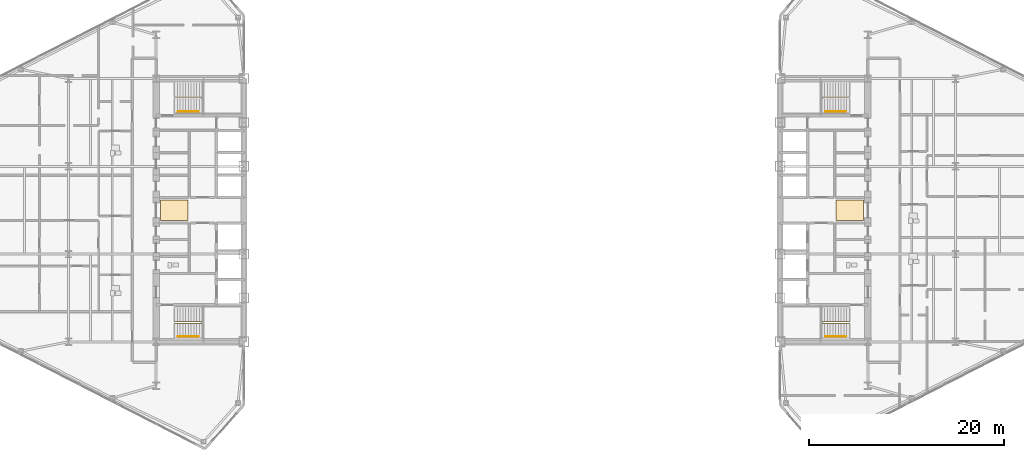
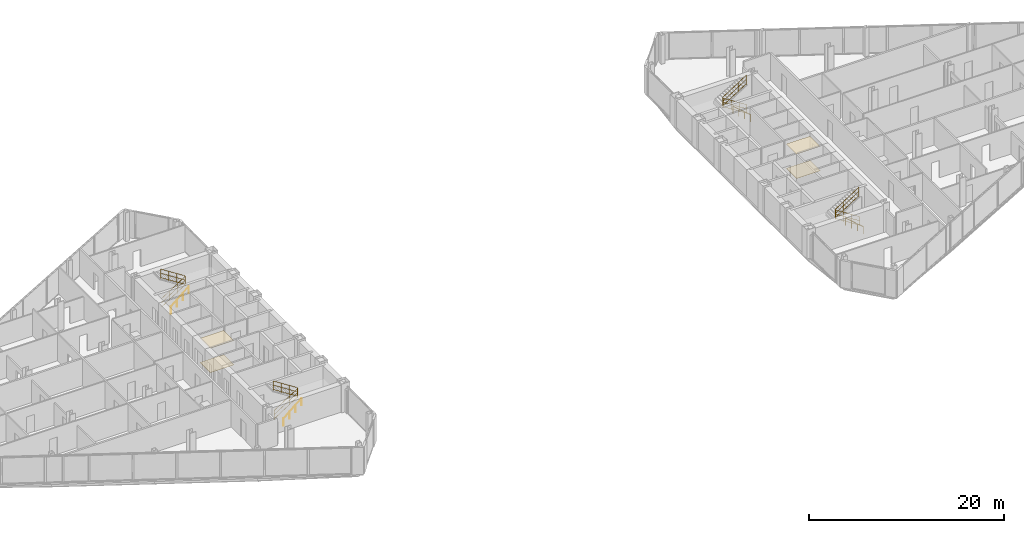
# One storey, part 23 of 24: 8 railings, 4 coverings.
"""IFC4 building model written with IfcOpenShell, lengths in metres."""

from ifc_helpers import new_model, si_unit, direction, frame, origin, origin_2d, place, context, subcontext, project, spatial, polyline, circle, outline, extrude, material, layer, layer_set, type_object, element, save


model = new_model("IFC4")

# Units and contexts
model_context = context("Model", 3, precision=1e-05, world=origin(), true_north=direction((0.0, 1.0)))
body_context = subcontext(model_context, "Body", "Model", "MODEL_VIEW")
ifc_project = project(units=[si_unit("LENGTHUNIT", "METRE"), si_unit("AREAUNIT", "SQUARE_METRE"), si_unit("VOLUMEUNIT", "CUBIC_METRE"), si_unit("PLANEANGLEUNIT", "RADIAN"), si_unit("MASSUNIT", "GRAM", prefix="KILO")], contexts=[model_context])

# Site, building, storey
site_placement = place(None, origin())
site = spatial("IfcSite", under=ifc_project, at=site_placement, CompositionType="ELEMENT")
building_placement = place(site_placement, origin())
building = spatial("IfcBuilding", under=site, at=building_placement, Name="Seokmaru Belvedere", CompositionType="ELEMENT")
storey_placement = place(building_placement, frame((0.0, 0.0, 124.800048828125)))
storey = spatial("IfcBuildingStorey", under=building, at=storey_placement, Name="L33", CompositionType="ELEMENT", Elevation=124.800048828125)

# Coverings
ifc_material_1 = material(Name="Engineered White Oak Timber", Category="wood")
ifc_layer_1 = layer(ifc_material_1, 0.02197265625)
ifc_layer_set_1 = layer_set([ifc_layer_1], Name="Engineered White Oak Timber")
covering_type_1 = type_object("IfcCoveringType", Name="Engineered Oak Residence Floor Finish 22", PredefinedType="FLOORING", material=ifc_layer_set_1)
covering_1_placement = place(storey_placement, origin())
element("IfcCovering", 1, at=covering_1_placement, inside=storey, type_object=covering_type_1, Name="L33 W Foyer Floor Finish", PredefinedType="FLOORING", context=body_context, shape_type="SweptSolid", body=[
    extrude(outline(polyline([(-36.050048828125, -1.050048828125), (-33.25, -1.050048828125), (-33.25, 1.050048828125), (-36.050048828125, 1.050048828125), (-36.050048828125, -1.050048828125)])), origin(), (0.0, 0.0, 1.0), 0.02197265625),
])
covering_2_placement = place(storey_placement, origin())
element("IfcCovering", 2, at=covering_2_placement, inside=storey, type_object=covering_type_1, Name="L33 E Foyer Floor Finish", PredefinedType="FLOORING", context=body_context, shape_type="SweptSolid", body=[
    extrude(outline(polyline([(33.25, -1.050048828125), (36.050048828125, -1.050048828125), (36.050048828125, 1.050048828125), (33.25, 1.050048828125), (33.25, -1.050048828125)])), origin(), (0.0, 0.0, 1.0), 0.02197265625),
])
ifc_material_2 = material(Name="Fire-Rated Gypsum Shaftwall")
ifc_layer_2 = layer(ifc_material_2, 0.02490234375)
ifc_layer_set_2 = layer_set([ifc_layer_2], Name="Fire-Rated Gypsum Shaftwall")
covering_type_2 = type_object("IfcCoveringType", Name="Perforated Acoustic Gypsum Suspended Ceiling 25", PredefinedType="CEILING", material=ifc_layer_set_2)
covering_3_placement = place(storey_placement, frame((0.0, 0.0, 3.030029296875)))
element("IfcCovering", 3, at=covering_3_placement, inside=storey, type_object=covering_type_2, Name="L33 W Lift Foyer Acoustic Ceiling", PredefinedType="CEILING", context=body_context, shape_type="SweptSolid", body=[
    extrude(outline(polyline([(-36.050048828125, -1.050048828125), (-33.25, -1.050048828125), (-33.25, 1.050048828125), (-36.050048828125, 1.050048828125), (-36.050048828125, -1.050048828125)])), origin(), (0.0, 0.0, 1.0), 0.02490234375),
])
covering_4_placement = place(storey_placement, frame((0.0, 0.0, 3.030029296875)))
element("IfcCovering", 4, at=covering_4_placement, inside=storey, type_object=covering_type_2, Name="L33 E Lift Foyer Acoustic Ceiling", PredefinedType="CEILING", context=body_context, shape_type="SweptSolid", body=[
    extrude(outline(polyline([(33.25, -1.050048828125), (36.050048828125, -1.050048828125), (36.050048828125, 1.050048828125), (33.25, 1.050048828125), (33.25, -1.050048828125)])), origin(), (0.0, 0.0, 1.0), 0.02490234375),
])

# Railings
ifc_material_3 = material(Name="Stainless Steel 316", Category="steel")
railing_type_1 = type_object("IfcRailingType", Name="Stainless Steel Wall and Flight Handrail 900", PredefinedType="HANDRAIL", material=ifc_material_3)
for number, where, name in (
    (5, (-34.25, -12.949951171875, 0.0), "L33 Stair ST-W1 Wall Handrail"),
    (6, (-34.25, 10.110107421875, 0.0), "L33 Stair ST-W2 Wall Handrail"),
):
    element("IfcRailing", number, at=place(storey_placement, frame(where)), inside=storey, type_object=railing_type_1, Name=name, PredefinedType="HANDRAIL", context=body_context, shape_type="SweptSolid", body=[
        extrude(circle(Radius=0.02392578125, at=origin_2d()), frame((0.0, 0.0, 0.8759765625), z_axis=(0.759262832861, 0.0, 0.650784104474), x_axis=(0.0, 1.0, 0.0)), (0.0, 0.0, 1.0), 2.765869140625),
        extrude(circle(Radius=0.02099609375, at=origin_2d()), origin(), (0.0, 0.0, 1.0), 0.851806640625),
        extrude(circle(Radius=0.02099609375, at=origin_2d()), frame((0.699951171875, 0.0, 0.60009765625)), (0.0, 0.0, 1.0), 0.851806640625),
        extrude(circle(Radius=0.02099609375, at=origin_2d()), frame((1.400146484375, 0.0, 1.199951171875)), (0.0, 0.0, 1.0), 0.851806640625),
        extrude(circle(Radius=0.02099609375, at=origin_2d()), frame((2.10009765625, 0.0, 1.800048828125)), (0.0, 0.0, 1.0), 0.851806640625),
    ])
for number, where, name in (
    (7, (34.25, -12.949951171875, 0.0), "L33 Stair ST-E1 Wall Handrail"),
    (8, (34.25, 10.110107421875, 0.0), "L33 Stair ST-E2 Wall Handrail"),
):
    element("IfcRailing", number, at=place(storey_placement, frame(where)), inside=storey, type_object=railing_type_1, Name=name, PredefinedType="HANDRAIL", context=body_context, shape_type="SweptSolid", body=[
        extrude(circle(Radius=0.02392578125, at=origin_2d()), frame((0.0, 0.0, 0.8759765625), z_axis=(-0.759262832861, 0.0, 0.650784104474), x_axis=(0.0, -1.0, 0.0)), (0.0, 0.0, 1.0), 2.765869140625),
        extrude(circle(Radius=0.02099609375, at=origin_2d()), origin(), (0.0, 0.0, 1.0), 0.851806640625),
        extrude(circle(Radius=0.02099609375, at=origin_2d()), frame((-0.699951171875, 0.0, 0.60009765625)), (0.0, 0.0, 1.0), 0.851806640625),
        extrude(circle(Radius=0.02099609375, at=origin_2d()), frame((-1.400146484375, 0.0, 1.199951171875)), (0.0, 0.0, 1.0), 0.851806640625),
        extrude(circle(Radius=0.02099609375, at=origin_2d()), frame((-2.10009765625, 0.0, 1.800048828125)), (0.0, 0.0, 1.0), 0.851806640625),
    ])
railing_type_2 = type_object("IfcRailingType", Name="Stair Well and Atrium Steel Guardrail 1200", PredefinedType="GUARDRAIL", material=ifc_material_3)
railing_1_placement = place(storey_placement, frame((-34.60009765625, -11.60009765625, 0.0)))
element("IfcRailing", 9, at=railing_1_placement, inside=storey, type_object=railing_type_2, Name="L33 Stair ST-W1 Inner Well Guardrail", PredefinedType="GUARDRAIL", context=body_context, shape_type="SweptSolid", body=[
    extrude(circle(Radius=0.02392578125, at=origin_2d()), frame((0.0, 0.0, 1.17578125), z_axis=(0.841176092368, 0.0, 0.540761298198), x_axis=(0.0, 1.0, 0.0)), (0.0, 0.0, 1.0), 3.32861328125),
    extrude(circle(Radius=0.02392578125, at=origin_2d()), frame((0.0, 0.0, 0.1201171875), z_axis=(0.841176092368, 0.0, 0.540761298198), x_axis=(0.0, 1.0, 0.0)), (0.0, 0.0, 1.0), 3.32861328125),
    extrude(circle(Radius=0.02392578125, at=origin_2d()), frame((0.0, 0.0, 0.659912109375), z_axis=(0.841176092368, 0.0, 0.540761298198), x_axis=(0.0, 1.0, 0.0)), (0.0, 0.0, 1.0), 3.32861328125),
    extrude(circle(Radius=0.02392578125, at=origin_2d()), frame((2.800048828125, 0.0, 2.97607421875), z_axis=(0.0, 1.0, 0.0), x_axis=(-1.0, 0.0, 0.0)), (0.0, 0.0, 1.0), 0.14013671875),
    extrude(circle(Radius=0.02392578125, at=origin_2d()), frame((2.800048828125, 0.0, 1.920166015625), z_axis=(0.0, 1.0, 0.0), x_axis=(-1.0, 0.0, 0.0)), (0.0, 0.0, 1.0), 0.14013671875),
    extrude(circle(Radius=0.02392578125, at=origin_2d()), frame((2.800048828125, 0.0, 2.4599609375), z_axis=(0.0, 1.0, 0.0), x_axis=(-1.0, 0.0, 0.0)), (0.0, 0.0, 1.0), 0.14013671875),
    extrude(circle(Radius=0.02392578125, at=origin_2d()), frame((2.800048828125, 0.14013671875, 2.97607421875), z_axis=(-0.841209454229, 0.0, 0.540709398952), x_axis=(0.0, -1.0, 0.0)), (0.0, 0.0, 1.0), 3.32861328125),
    extrude(circle(Radius=0.02392578125, at=origin_2d()), frame((2.800048828125, 0.14013671875, 1.920166015625), z_axis=(-0.841209454229, 0.0, 0.540709398952), x_axis=(0.0, -1.0, 0.0)), (0.0, 0.0, 1.0), 3.32861328125),
    extrude(circle(Radius=0.02392578125, at=origin_2d()), frame((2.800048828125, 0.14013671875, 2.4599609375), z_axis=(-0.841209454229, 0.0, 0.540709398952), x_axis=(0.0, -1.0, 0.0)), (0.0, 0.0, 1.0), 3.32861328125),
    extrude(circle(Radius=0.02099609375, at=origin_2d()), origin(), (0.0, 0.0, 1.0), 1.15185546875),
    extrude(circle(Radius=0.02099609375, at=origin_2d()), frame((0.933349609375, 0.0, 0.60009765625)), (0.0, 0.0, 1.0), 1.15185546875),
    extrude(circle(Radius=0.02099609375, at=origin_2d()), frame((1.86669921875, 0.0, 1.199951171875)), (0.0, 0.0, 1.0), 1.15185546875),
    extrude(circle(Radius=0.02099609375, at=origin_2d()), frame((2.800048828125, 0.0, 1.800048828125)), (0.0, 0.0, 1.0), 1.15185546875),
    extrude(circle(Radius=0.02099609375, at=origin_2d()), frame((2.800048828125, 0.14013671875, 1.800048828125)), (0.0, 0.0, 1.0), 1.15185546875),
    extrude(circle(Radius=0.02099609375, at=origin_2d()), frame((1.86669921875, 0.14013671875, 2.39990234375)), (0.0, 0.0, 1.0), 1.15185546875),
    extrude(circle(Radius=0.02099609375, at=origin_2d()), frame((0.933349609375, 0.14013671875, 3.0)), (0.0, 0.0, 1.0), 1.15185546875),
    extrude(circle(Radius=0.02099609375, at=origin_2d()), frame((0.0, 0.14013671875, 3.599853515625)), (0.0, 0.0, 1.0), 1.15185546875),
])
railing_2_placement = place(storey_placement, frame((-34.60009765625, 11.4599609375, 0.0)))
element("IfcRailing", 10, at=railing_2_placement, inside=storey, type_object=railing_type_2, Name="L33 Stair ST-W2 Inner Well Guardrail", PredefinedType="GUARDRAIL", context=body_context, shape_type="SweptSolid", body=[
    extrude(circle(Radius=0.02392578125, at=origin_2d()), frame((0.0, 0.0, 1.17578125), z_axis=(0.841176092368, 0.0, 0.540761298198), x_axis=(0.0, 1.0, 0.0)), (0.0, 0.0, 1.0), 3.32861328125),
    extrude(circle(Radius=0.02392578125, at=origin_2d()), frame((0.0, 0.0, 0.1201171875), z_axis=(0.841176092368, 0.0, 0.540761298198), x_axis=(0.0, 1.0, 0.0)), (0.0, 0.0, 1.0), 3.32861328125),
    extrude(circle(Radius=0.02392578125, at=origin_2d()), frame((0.0, 0.0, 0.659912109375), z_axis=(0.841176092368, 0.0, 0.540761298198), x_axis=(0.0, 1.0, 0.0)), (0.0, 0.0, 1.0), 3.32861328125),
    extrude(circle(Radius=0.02392578125, at=origin_2d()), frame((2.800048828125, 0.0, 2.97607421875), z_axis=(0.0, 1.0, 0.0), x_axis=(-1.0, 0.0, 0.0)), (0.0, 0.0, 1.0), 0.14013671875),
    extrude(circle(Radius=0.02392578125, at=origin_2d()), frame((2.800048828125, 0.0, 1.920166015625), z_axis=(0.0, 1.0, 0.0), x_axis=(-1.0, 0.0, 0.0)), (0.0, 0.0, 1.0), 0.14013671875),
    extrude(circle(Radius=0.02392578125, at=origin_2d()), frame((2.800048828125, 0.0, 2.4599609375), z_axis=(0.0, 1.0, 0.0), x_axis=(-1.0, 0.0, 0.0)), (0.0, 0.0, 1.0), 0.14013671875),
    extrude(circle(Radius=0.02392578125, at=origin_2d()), frame((2.800048828125, 0.14013671875, 2.97607421875), z_axis=(-0.841209454229, 0.0, 0.540709398952), x_axis=(0.0, -1.0, 0.0)), (0.0, 0.0, 1.0), 3.32861328125),
    extrude(circle(Radius=0.02392578125, at=origin_2d()), frame((2.800048828125, 0.14013671875, 1.920166015625), z_axis=(-0.841209454229, 0.0, 0.540709398952), x_axis=(0.0, -1.0, 0.0)), (0.0, 0.0, 1.0), 3.32861328125),
    extrude(circle(Radius=0.02392578125, at=origin_2d()), frame((2.800048828125, 0.14013671875, 2.4599609375), z_axis=(-0.841209454229, 0.0, 0.540709398952), x_axis=(0.0, -1.0, 0.0)), (0.0, 0.0, 1.0), 3.32861328125),
    extrude(circle(Radius=0.02099609375, at=origin_2d()), origin(), (0.0, 0.0, 1.0), 1.15185546875),
    extrude(circle(Radius=0.02099609375, at=origin_2d()), frame((0.933349609375, 0.0, 0.60009765625)), (0.0, 0.0, 1.0), 1.15185546875),
    extrude(circle(Radius=0.02099609375, at=origin_2d()), frame((1.86669921875, 0.0, 1.199951171875)), (0.0, 0.0, 1.0), 1.15185546875),
    extrude(circle(Radius=0.02099609375, at=origin_2d()), frame((2.800048828125, 0.0, 1.800048828125)), (0.0, 0.0, 1.0), 1.15185546875),
    extrude(circle(Radius=0.02099609375, at=origin_2d()), frame((2.800048828125, 0.14013671875, 1.800048828125)), (0.0, 0.0, 1.0), 1.15185546875),
    extrude(circle(Radius=0.02099609375, at=origin_2d()), frame((1.86669921875, 0.14013671875, 2.39990234375)), (0.0, 0.0, 1.0), 1.15185546875),
    extrude(circle(Radius=0.02099609375, at=origin_2d()), frame((0.933349609375, 0.14013671875, 3.0)), (0.0, 0.0, 1.0), 1.15185546875),
    extrude(circle(Radius=0.02099609375, at=origin_2d()), frame((0.0, 0.14013671875, 3.599853515625)), (0.0, 0.0, 1.0), 1.15185546875),
])
railing_3_placement = place(storey_placement, frame((34.60009765625, -11.60009765625, 0.0)))
element("IfcRailing", 11, at=railing_3_placement, inside=storey, type_object=railing_type_2, Name="L33 Stair ST-E1 Inner Well Guardrail", PredefinedType="GUARDRAIL", context=body_context, shape_type="SweptSolid", body=[
    extrude(circle(Radius=0.02392578125, at=origin_2d()), frame((0.0, 0.0, 1.17578125), z_axis=(-0.841176092368, 0.0, 0.540761298198), x_axis=(0.0, -1.0, 0.0)), (0.0, 0.0, 1.0), 3.32861328125),
    extrude(circle(Radius=0.02392578125, at=origin_2d()), frame((0.0, 0.0, 0.1201171875), z_axis=(-0.841176092368, 0.0, 0.540761298198), x_axis=(0.0, -1.0, 0.0)), (0.0, 0.0, 1.0), 3.32861328125),
    extrude(circle(Radius=0.02392578125, at=origin_2d()), frame((0.0, 0.0, 0.659912109375), z_axis=(-0.841176092368, 0.0, 0.540761298198), x_axis=(0.0, -1.0, 0.0)), (0.0, 0.0, 1.0), 3.32861328125),
    extrude(circle(Radius=0.02392578125, at=origin_2d()), frame((-2.800048828125, 0.0, 2.97607421875), z_axis=(0.0, 1.0, 0.0), x_axis=(-1.0, 0.0, 0.0)), (0.0, 0.0, 1.0), 0.14013671875),
    extrude(circle(Radius=0.02392578125, at=origin_2d()), frame((-2.800048828125, 0.0, 1.920166015625), z_axis=(0.0, 1.0, 0.0), x_axis=(-1.0, 0.0, 0.0)), (0.0, 0.0, 1.0), 0.14013671875),
    extrude(circle(Radius=0.02392578125, at=origin_2d()), frame((-2.800048828125, 0.0, 2.4599609375), z_axis=(0.0, 1.0, 0.0), x_axis=(-1.0, 0.0, 0.0)), (0.0, 0.0, 1.0), 0.14013671875),
    extrude(circle(Radius=0.02392578125, at=origin_2d()), frame((-2.800048828125, 0.14013671875, 2.97607421875), z_axis=(0.841209454229, 0.0, 0.540709398952), x_axis=(0.0, 1.0, 0.0)), (0.0, 0.0, 1.0), 3.32861328125),
    extrude(circle(Radius=0.02392578125, at=origin_2d()), frame((-2.800048828125, 0.14013671875, 1.920166015625), z_axis=(0.841209454229, 0.0, 0.540709398952), x_axis=(0.0, 1.0, 0.0)), (0.0, 0.0, 1.0), 3.32861328125),
    extrude(circle(Radius=0.02392578125, at=origin_2d()), frame((-2.800048828125, 0.14013671875, 2.4599609375), z_axis=(0.841209454229, 0.0, 0.540709398952), x_axis=(0.0, 1.0, 0.0)), (0.0, 0.0, 1.0), 3.32861328125),
    extrude(circle(Radius=0.02099609375, at=origin_2d()), origin(), (0.0, 0.0, 1.0), 1.15185546875),
    extrude(circle(Radius=0.02099609375, at=origin_2d()), frame((-0.933349609375, 0.0, 0.60009765625)), (0.0, 0.0, 1.0), 1.15185546875),
    extrude(circle(Radius=0.02099609375, at=origin_2d()), frame((-1.86669921875, 0.0, 1.199951171875)), (0.0, 0.0, 1.0), 1.15185546875),
    extrude(circle(Radius=0.02099609375, at=origin_2d()), frame((-2.800048828125, 0.0, 1.800048828125)), (0.0, 0.0, 1.0), 1.15185546875),
    extrude(circle(Radius=0.02099609375, at=origin_2d()), frame((-2.800048828125, 0.14013671875, 1.800048828125)), (0.0, 0.0, 1.0), 1.15185546875),
    extrude(circle(Radius=0.02099609375, at=origin_2d()), frame((-1.86669921875, 0.14013671875, 2.39990234375)), (0.0, 0.0, 1.0), 1.15185546875),
    extrude(circle(Radius=0.02099609375, at=origin_2d()), frame((-0.933349609375, 0.14013671875, 3.0)), (0.0, 0.0, 1.0), 1.15185546875),
    extrude(circle(Radius=0.02099609375, at=origin_2d()), frame((0.0, 0.14013671875, 3.599853515625)), (0.0, 0.0, 1.0), 1.15185546875),
])
railing_4_placement = place(storey_placement, frame((34.60009765625, 11.4599609375, 0.0)))
element("IfcRailing", 12, at=railing_4_placement, inside=storey, type_object=railing_type_2, Name="L33 Stair ST-E2 Inner Well Guardrail", PredefinedType="GUARDRAIL", context=body_context, shape_type="SweptSolid", body=[
    extrude(circle(Radius=0.02392578125, at=origin_2d()), frame((0.0, 0.0, 1.17578125), z_axis=(-0.841176092368, 0.0, 0.540761298198), x_axis=(0.0, -1.0, 0.0)), (0.0, 0.0, 1.0), 3.32861328125),
    extrude(circle(Radius=0.02392578125, at=origin_2d()), frame((0.0, 0.0, 0.1201171875), z_axis=(-0.841176092368, 0.0, 0.540761298198), x_axis=(0.0, -1.0, 0.0)), (0.0, 0.0, 1.0), 3.32861328125),
    extrude(circle(Radius=0.02392578125, at=origin_2d()), frame((0.0, 0.0, 0.659912109375), z_axis=(-0.841176092368, 0.0, 0.540761298198), x_axis=(0.0, -1.0, 0.0)), (0.0, 0.0, 1.0), 3.32861328125),
    extrude(circle(Radius=0.02392578125, at=origin_2d()), frame((-2.800048828125, 0.0, 2.97607421875), z_axis=(0.0, 1.0, 0.0), x_axis=(-1.0, 0.0, 0.0)), (0.0, 0.0, 1.0), 0.14013671875),
    extrude(circle(Radius=0.02392578125, at=origin_2d()), frame((-2.800048828125, 0.0, 1.920166015625), z_axis=(0.0, 1.0, 0.0), x_axis=(-1.0, 0.0, 0.0)), (0.0, 0.0, 1.0), 0.14013671875),
    extrude(circle(Radius=0.02392578125, at=origin_2d()), frame((-2.800048828125, 0.0, 2.4599609375), z_axis=(0.0, 1.0, 0.0), x_axis=(-1.0, 0.0, 0.0)), (0.0, 0.0, 1.0), 0.14013671875),
    extrude(circle(Radius=0.02392578125, at=origin_2d()), frame((-2.800048828125, 0.14013671875, 2.97607421875), z_axis=(0.841209454229, 0.0, 0.540709398952), x_axis=(0.0, 1.0, 0.0)), (0.0, 0.0, 1.0), 3.32861328125),
    extrude(circle(Radius=0.02392578125, at=origin_2d()), frame((-2.800048828125, 0.14013671875, 1.920166015625), z_axis=(0.841209454229, 0.0, 0.540709398952), x_axis=(0.0, 1.0, 0.0)), (0.0, 0.0, 1.0), 3.32861328125),
    extrude(circle(Radius=0.02392578125, at=origin_2d()), frame((-2.800048828125, 0.14013671875, 2.4599609375), z_axis=(0.841209454229, 0.0, 0.540709398952), x_axis=(0.0, 1.0, 0.0)), (0.0, 0.0, 1.0), 3.32861328125),
    extrude(circle(Radius=0.02099609375, at=origin_2d()), origin(), (0.0, 0.0, 1.0), 1.15185546875),
    extrude(circle(Radius=0.02099609375, at=origin_2d()), frame((-0.933349609375, 0.0, 0.60009765625)), (0.0, 0.0, 1.0), 1.15185546875),
    extrude(circle(Radius=0.02099609375, at=origin_2d()), frame((-1.86669921875, 0.0, 1.199951171875)), (0.0, 0.0, 1.0), 1.15185546875),
    extrude(circle(Radius=0.02099609375, at=origin_2d()), frame((-2.800048828125, 0.0, 1.800048828125)), (0.0, 0.0, 1.0), 1.15185546875),
    extrude(circle(Radius=0.02099609375, at=origin_2d()), frame((-2.800048828125, 0.14013671875, 1.800048828125)), (0.0, 0.0, 1.0), 1.15185546875),
    extrude(circle(Radius=0.02099609375, at=origin_2d()), frame((-1.86669921875, 0.14013671875, 2.39990234375)), (0.0, 0.0, 1.0), 1.15185546875),
    extrude(circle(Radius=0.02099609375, at=origin_2d()), frame((-0.933349609375, 0.14013671875, 3.0)), (0.0, 0.0, 1.0), 1.15185546875),
    extrude(circle(Radius=0.02099609375, at=origin_2d()), frame((0.0, 0.14013671875, 3.599853515625)), (0.0, 0.0, 1.0), 1.15185546875),
])

save(model, "model.ifc")
